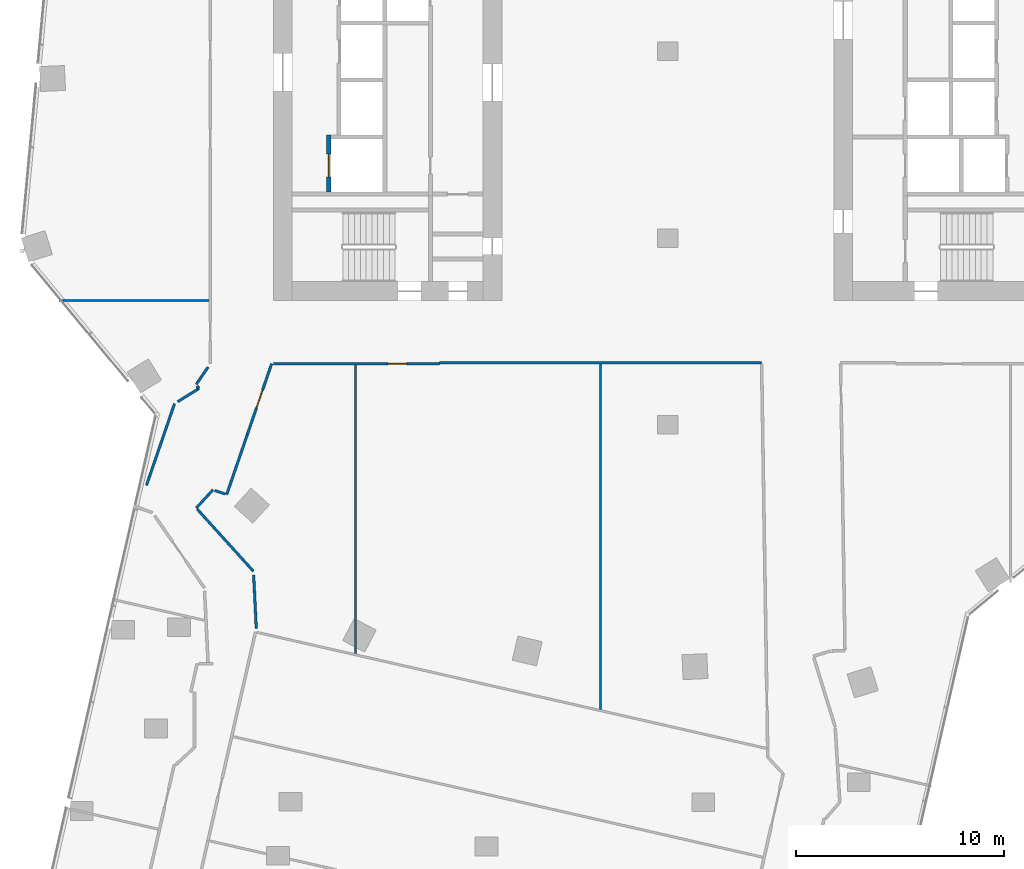
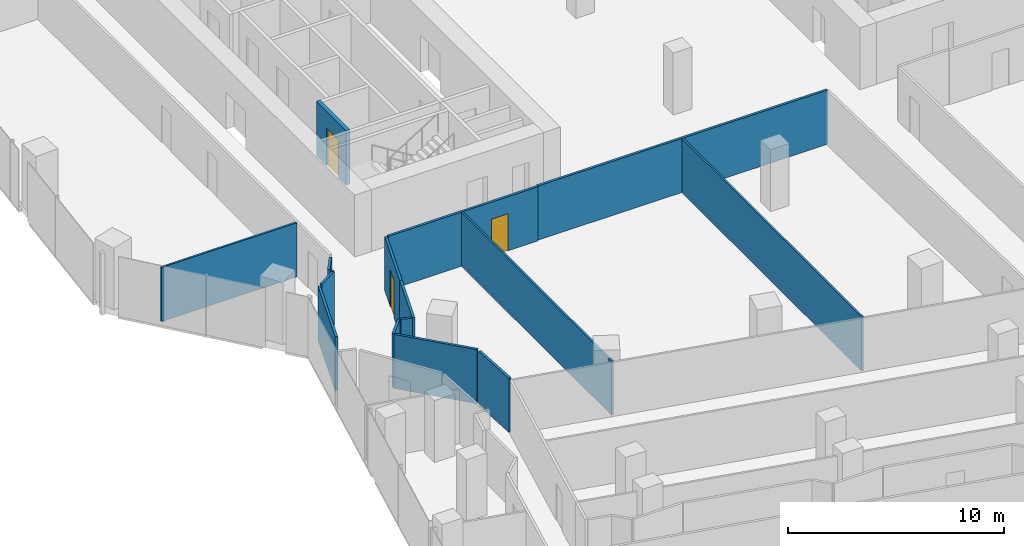
# One storey, part 19 of 24: 16 walls, 3 doors, 3 openings.
"""IFC4 building model written with IfcOpenShell, lengths in metres."""

from ifc_helpers import new_model, si_unit, direction, frame, frame_2d, origin, place, context, subcontext, project, spatial, rectangle, extrude, material, layer, layer_set, type_object, element, fill, save


model = new_model("IFC4")

# Units and contexts
model_context = context("Model", 3, precision=1e-05, world=origin(), true_north=direction((0.0, 1.0)))
body_context = subcontext(model_context, "Body", "Model", "MODEL_VIEW")
ifc_project = project(units=[si_unit("LENGTHUNIT", "METRE"), si_unit("AREAUNIT", "SQUARE_METRE"), si_unit("VOLUMEUNIT", "CUBIC_METRE"), si_unit("PLANEANGLEUNIT", "RADIAN"), si_unit("MASSUNIT", "GRAM", prefix="KILO")], contexts=[model_context])

# Site, building, storey
site_placement = place(None, origin())
site = spatial("IfcSite", under=ifc_project, at=site_placement, CompositionType="ELEMENT")
building_placement = place(site_placement, origin())
building = spatial("IfcBuilding", under=site, at=building_placement, Name="Orlundy Tower", CompositionType="ELEMENT")
storey_placement = place(building_placement, frame((0.0, 0.0, 177.60009765625)))
storey = spatial("IfcBuildingStorey", under=building, at=storey_placement, Name="L46", CompositionType="ELEMENT", Elevation=177.60009765625)

# Walls
ifc_material_1 = material(Name="Gypsum board partition")
ifc_layer_1 = layer(ifc_material_1, 0.10009765625)
ifc_layer_set_1 = layer_set([ifc_layer_1], Name="Floor partition 100")
wall_type_1 = type_object("IfcWallType", Name="Floor partition 100", PredefinedType="PARTITIONING", material=ifc_layer_set_1)
wall_1_placement = place(storey_placement, frame((-3.23388671875, -15.06201171875, 0.0), z_axis=(0.0, 0.0, 1.0), x_axis=(5.8673394e-05, -0.999999998279, 0.0)))
element("IfcWall", 1, at=wall_1_placement, inside=storey, type_object=wall_type_1, Name="wall-int-L46-001", PredefinedType="PARTITIONING", context=body_context, shape_type="SweptSolid", body=[
    extrude(rectangle(XDim=16.64404296875, YDim=0.10009765625, at=frame_2d((8.322021484375, 0.0))), origin(), (0.0, 0.0, 1.0), 3.059814453125),
])
wall_2_placement = place(storey_placement, frame((-29.346923828125, -12.0, 0.0), z_axis=(0.0, 0.0, 1.0), x_axis=(1.0, 0.0, 0.0)))
element("IfcWall", 2, at=wall_2_placement, inside=storey, type_object=wall_type_1, Name="wall-int-L46-041", PredefinedType="PARTITIONING", context=body_context, shape_type="SweptSolid", body=[
    extrude(rectangle(XDim=7.23388671875, YDim=0.10009765625, at=frame_2d((3.616943359375, 0.0))), origin(), (0.0, 0.0, 1.0), 3.059814453125),
])
wall_3_placement = place(storey_placement, frame((-15.041015625, -29.01611328125, 0.0), z_axis=(0.0, 0.0, 1.0), x_axis=(0.0, 1.0, 0.0)))
element("IfcWall", 3, at=wall_3_placement, inside=storey, type_object=wall_type_1, Name="wall-int-L46-080", PredefinedType="PARTITIONING", context=body_context, shape_type="SweptSolid", body=[
    extrude(rectangle(XDim=13.902099609375, YDim=0.10009765625, at=frame_2d((6.951171875, 0.0))), origin(), (0.0, 0.0, 1.0), 3.059814453125),
])
ifc_material_2 = material(Name="Gypsum board partition, double layer")
ifc_layer_2 = layer(ifc_material_2, 0.125)
ifc_layer_set_2 = layer_set([ifc_layer_2], Name="Floor partition 125")
wall_type_2 = type_object("IfcWallType", Name="Floor partition 125", PredefinedType="PARTITIONING", material=ifc_layer_set_2)
wall_4_placement = place(storey_placement, frame((-19.9560546875, -25.23193359375, 0.0), z_axis=(0.0, 0.0, 1.0), x_axis=(0.048635402931, -0.998816598571, 0.0)))
element("IfcWall", 4, at=wall_4_placement, inside=storey, type_object=wall_type_2, Name="wall-int-L46-006", PredefinedType="PARTITIONING", context=body_context, shape_type="SweptSolid", body=[
    extrude(rectangle(XDim=2.59033203125, YDim=0.125, at=frame_2d((1.295166015625, 0.0))), origin(), (0.0, 0.0, 1.0), 3.059814453125),
])
wall_5_placement = place(storey_placement, frame((-22.681884765625, -16.135009765625, 0.0), z_axis=(0.0, 0.0, 1.0), x_axis=(0.530154156877, -0.847901273702, 0.0)))
element("IfcWall", 5, at=wall_5_placement, inside=storey, type_object=wall_type_2, Name="wall-int-L46-009", PredefinedType="PARTITIONING", context=body_context, shape_type="SweptSolid", body=[
    extrude(rectangle(XDim=0.141357421875, YDim=0.125, at=frame_2d((0.07080078125, 0.0))), origin(), (0.0, 0.0, 1.0), 3.059814453125),
])
wall_6_placement = place(storey_placement, frame((-19.965087890625, -25.056884765625, 0.0), z_axis=(0.0, 0.0, 1.0), x_axis=(-0.671014368504, 0.741444345356, 0.0)))
element("IfcWall", 6, at=wall_6_placement, inside=storey, type_object=wall_type_2, Name="wall-int-L46-011", PredefinedType="PARTITIONING", context=body_context, shape_type="SweptSolid", body=[
    extrude(rectangle(XDim=4.048828125, YDim=0.125, at=frame_2d((2.0244140625, 0.0))), origin(), (0.0, 0.0, 1.0), 3.059814453125),
])
wall_7_placement = place(storey_placement, frame((-21.826904296875, -21.159912109375, 0.0), z_axis=(0.0, 0.0, 1.0), x_axis=(0.94566493533, -0.325142784155, 0.0)))
element("IfcWall", 7, at=wall_7_placement, inside=storey, type_object=wall_type_2, Name="wall-int-L46-012", PredefinedType="PARTITIONING", context=body_context, shape_type="SweptSolid", body=[
    extrude(rectangle(XDim=0.541259765625, YDim=0.125, at=frame_2d((0.2705078125, 0.0))), origin(), (0.0, 0.0, 1.0), 3.059814453125),
])

# Wall, opening, door
wall_8_placement = place(storey_placement, frame((-10.990966796875, -15.051025390625, 0.0), z_axis=(0.0, 0.0, 1.0), x_axis=(-1.0, 0.0, 0.0)))
wall_8 = element("IfcWall", 8, at=wall_8_placement, inside=storey, type_object=wall_type_2, Name="wall-int-L46-037", PredefinedType="PARTITIONING", context=body_context, shape_type="SweptSolid", body=[
    extrude(rectangle(XDim=8.010009765625, YDim=0.125, at=frame_2d((4.0048828125, 0.0))), origin(), (0.0, 0.0, 1.0), 3.059814453125),
])
opening_1_placement = place(wall_8_placement, frame((1.60009765625, 0.0, 0.0)))
opening_1 = element("IfcOpeningElement", 9, at=opening_1_placement, cuts=wall_8, Name="Opening 35114", PredefinedType="OPENING", context=body_context, shape_type="SweptSolid", body=[
    extrude(rectangle(XDim=0.89990234375, YDim=2.10009765625, at=frame_2d((0.449951171875, 1.050048828125))), frame((0.0, 0.072509765625, 0.0), z_axis=(0.0, -1.0, 0.0), x_axis=(1.0, 0.0, 0.0)), (0.0, 0.0, 1.0), 0.14501953125),
])
ifc_material_3 = material(Name="Timber door leaf", Category="wood")
door_type_1 = type_object("IfcDoorType", Name="Floor door single 900 FD30S", OperationType="NOTDEFINED", PredefinedType="DOOR", material=ifc_material_3)
door_1_placement = place(opening_1_placement, origin())
door_1 = element("IfcDoor", 10, at=door_1_placement, inside=storey, type_object=door_type_1, Name="Door 35114", OperationType="SINGLE_SWING_LEFT", OverallHeight=2.10009765625, OverallWidth=0.89990234375, PredefinedType="DOOR", context=body_context, shape_type="SweptSolid", body=[
    extrude(rectangle(XDim=0.89990234375, YDim=2.10009765625, at=frame_2d((0.449951171875, 1.050048828125))), frame((0.0, 0.02490234375, 0.0), z_axis=(0.0, -1.0, 0.0), x_axis=(1.0, 0.0, 0.0)), (0.0, 0.0, 1.0), 0.050048828125),
])
fill(opening_1, door_1)

# Walls
wall_9_placement = place(storey_placement, frame((-10.989990234375, -15.0009765625, 0.0), z_axis=(0.0, 0.0, 1.0), x_axis=(0.999999992074, 0.000125902959, 0.0)))
element("IfcWall", 11, at=wall_9_placement, inside=storey, type_object=wall_type_2, Name="wall-int-L46-039", PredefinedType="PARTITIONING", context=body_context, shape_type="SweptSolid", body=[
    extrude(rectangle(XDim=15.512939453125, YDim=0.125, at=frame_2d((7.75634765625, 0.0))), origin(), (0.0, 0.0, 1.0), 3.059814453125),
])
wall_10_placement = place(storey_placement, frame((-23.6201171875, -16.884033203125, 0.0), z_axis=(0.0, 0.0, 1.0), x_axis=(0.849535775132, 0.527531010245, 0.0)))
element("IfcWall", 12, at=wall_10_placement, inside=storey, type_object=wall_type_2, Name="wall-int-L46-053", PredefinedType="PARTITIONING", context=body_context, shape_type="SweptSolid", body=[
    extrude(rectangle(XDim=1.192626953125, YDim=0.125, at=frame_2d((0.59619140625, 0.0))), origin(), (0.0, 0.0, 1.0), 3.059814453125),
])
wall_11_placement = place(storey_placement, frame((-22.72412109375, -22.009033203125, 0.0), z_axis=(0.0, 0.0, 1.0), x_axis=(0.675881994125, 0.737009857477, 0.0)))
element("IfcWall", 13, at=wall_11_placement, inside=storey, type_object=wall_type_2, Name="wall-int-L46-054", PredefinedType="PARTITIONING", context=body_context, shape_type="SweptSolid", body=[
    extrude(rectangle(XDim=1.194091796875, YDim=0.125, at=frame_2d((0.59716796875, 0.0))), origin(), (0.0, 0.0, 1.0), 3.059814453125),
])
wall_12_placement = place(storey_placement, frame((-22.722900390625, -16.044921875, 0.0), z_axis=(0.0, 0.0, 1.0), x_axis=(0.567177272103, 0.823595739431, 0.0)))
element("IfcWall", 14, at=wall_12_placement, inside=storey, type_object=wall_type_2, Name="wall-int-L46-055", PredefinedType="PARTITIONING", context=body_context, shape_type="SweptSolid", body=[
    extrude(rectangle(XDim=1.00634765625, YDim=0.125, at=frame_2d((0.503173828125, 0.0))), origin(), (0.0, 0.0, 1.0), 3.059814453125),
])

# Wall, opening, door
wall_13_placement = place(storey_placement, frame((-19.089111328125, -15.051025390625, 0.0), z_axis=(0.0, 0.0, 1.0), x_axis=(-0.32495907715, -0.945728078349, 0.0)))
wall_13 = element("IfcWall", 15, at=wall_13_placement, inside=storey, type_object=wall_type_2, Name="wall-int-L46-056", PredefinedType="PARTITIONING", context=body_context, shape_type="SweptSolid", body=[
    extrude(rectangle(XDim=3.6181640625, YDim=0.125, at=frame_2d((1.80908203125, 0.0))), origin(), (0.0, 0.0, 1.0), 3.059814453125),
])
opening_2_placement = place(wall_13_placement, frame((1.35009765625, 0.0, 0.0)))
opening_2 = element("IfcOpeningElement", 16, at=opening_2_placement, cuts=wall_13, Name="Opening 35113", PredefinedType="OPENING", context=body_context, shape_type="SweptSolid", body=[
    extrude(rectangle(XDim=0.89990234375, YDim=2.10009765625, at=frame_2d((0.449951171875, 1.050048828125))), frame((0.0, 0.072509765625, 0.0), z_axis=(0.0, -1.0, 0.0), x_axis=(1.0, 0.0, 0.0)), (0.0, 0.0, 1.0), 0.14501953125),
])
door_2_placement = place(opening_2_placement, origin())
door_2 = element("IfcDoor", 17, at=door_2_placement, inside=storey, type_object=door_type_1, Name="Door 35113", OperationType="SINGLE_SWING_LEFT", OverallHeight=2.10009765625, OverallWidth=0.89990234375, PredefinedType="DOOR", context=body_context, shape_type="SweptSolid", body=[
    extrude(rectangle(XDim=0.89990234375, YDim=2.10009765625, at=frame_2d((0.449951171875, 1.050048828125))), frame((0.0, 0.02490234375, 0.0), z_axis=(0.0, -1.0, 0.0), x_axis=(1.0, 0.0, 0.0)), (0.0, 0.0, 1.0), 0.050048828125),
])
fill(opening_2, door_2)

# Walls
wall_14_placement = place(storey_placement, frame((-21.2548828125, -21.35595703125, 0.0), z_axis=(0.0, 0.0, 1.0), x_axis=(0.324768620484, 0.94579349921, 0.0)))
element("IfcWall", 18, at=wall_14_placement, inside=storey, type_object=wall_type_2, Name="wall-int-L46-057", PredefinedType="PARTITIONING", context=body_context, shape_type="SweptSolid", body=[
    extrude(rectangle(XDim=3.04833984375, YDim=0.125, at=frame_2d((1.524169921875, 0.0))), origin(), (0.0, 0.0, 1.0), 3.059814453125),
])
wall_15_placement = place(storey_placement, frame((-25.123046875, -20.9169921875, 0.0), z_axis=(0.0, 0.0, 1.0), x_axis=(0.324794759411, 0.945784523165, 0.0)))
element("IfcWall", 19, at=wall_15_placement, inside=storey, type_object=wall_type_2, Name="wall-int-L46-058", PredefinedType="PARTITIONING", context=body_context, shape_type="SweptSolid", body=[
    extrude(rectangle(XDim=4.165771484375, YDim=0.125, at=frame_2d((2.0830078125, 0.0))), origin(), (0.0, 0.0, 1.0), 3.059814453125),
])

# Wall, opening, door
ifc_material_4 = material(Name="Fire-rated blockwork shaft wall", Category="masonry")
ifc_layer_3 = layer(ifc_material_4, 0.199951171875)
ifc_layer_set_3 = layer_set([ifc_layer_3], Name="Shaft Wall 200")
wall_type_3 = type_object("IfcWallType", Name="Shaft Wall 200", PredefinedType="SOLIDWALL", material=ifc_layer_set_3)
wall_16_placement = place(storey_placement, frame((-16.340087890625, -6.77490234375, 0.0), z_axis=(0.0, 0.0, 1.0), x_axis=(0.0, 1.0, 0.0)))
wall_16 = element("IfcWall", 20, at=wall_16_placement, inside=storey, type_object=wall_type_3, Name="Shaft wall W35-front-o-a", PredefinedType="SOLIDWALL", context=body_context, shape_type="SweptSolid", body=[
    extrude(rectangle(XDim=2.75, YDim=0.199951171875, at=frame_2d((1.375, 0.0))), origin(), (0.0, 0.0, 1.0), 3.079833984375),
])
opening_3_placement = place(wall_16_placement, frame((0.72509765625, 0.0, 0.0)))
opening_3 = element("IfcOpeningElement", 21, at=opening_3_placement, cuts=wall_16, Name="Opening 35001", PredefinedType="OPENING", context=body_context, shape_type="SweptSolid", body=[
    extrude(rectangle(XDim=1.10009765625, YDim=2.10009765625, at=frame_2d((0.550048828125, 1.050048828125))), frame((0.0, 0.110107421875, 0.0), z_axis=(0.0, -1.0, 0.0), x_axis=(1.0, 0.0, 0.0)), (0.0, 0.0, 1.0), 0.22021484375),
])
ifc_material_5 = material(Name="Steel door set", Category="steel")
door_type_2 = type_object("IfcDoorType", Name="Landing Door 1100x2100", OperationType="DOUBLE_DOOR_SLIDING", PredefinedType="DOOR", material=ifc_material_5)
door_3_placement = place(opening_3_placement, origin())
door_3 = element("IfcDoor", 22, at=door_3_placement, inside=storey, type_object=door_type_2, Name="Lift landing door LV-01 35001", OperationType="DOUBLE_DOOR_SLIDING", OverallHeight=2.10009765625, OverallWidth=1.10009765625, PredefinedType="DOOR", context=body_context, shape_type="SweptSolid", body=[
    extrude(rectangle(XDim=1.10009765625, YDim=2.10009765625, at=frame_2d((0.550048828125, 1.050048828125))), frame((0.0, 0.02490234375, 0.0), z_axis=(0.0, -1.0, 0.0), x_axis=(1.0, 0.0, 0.0)), (0.0, 0.0, 1.0), 0.050048828125),
])
fill(opening_3, door_3)

save(model, "model.ifc")
